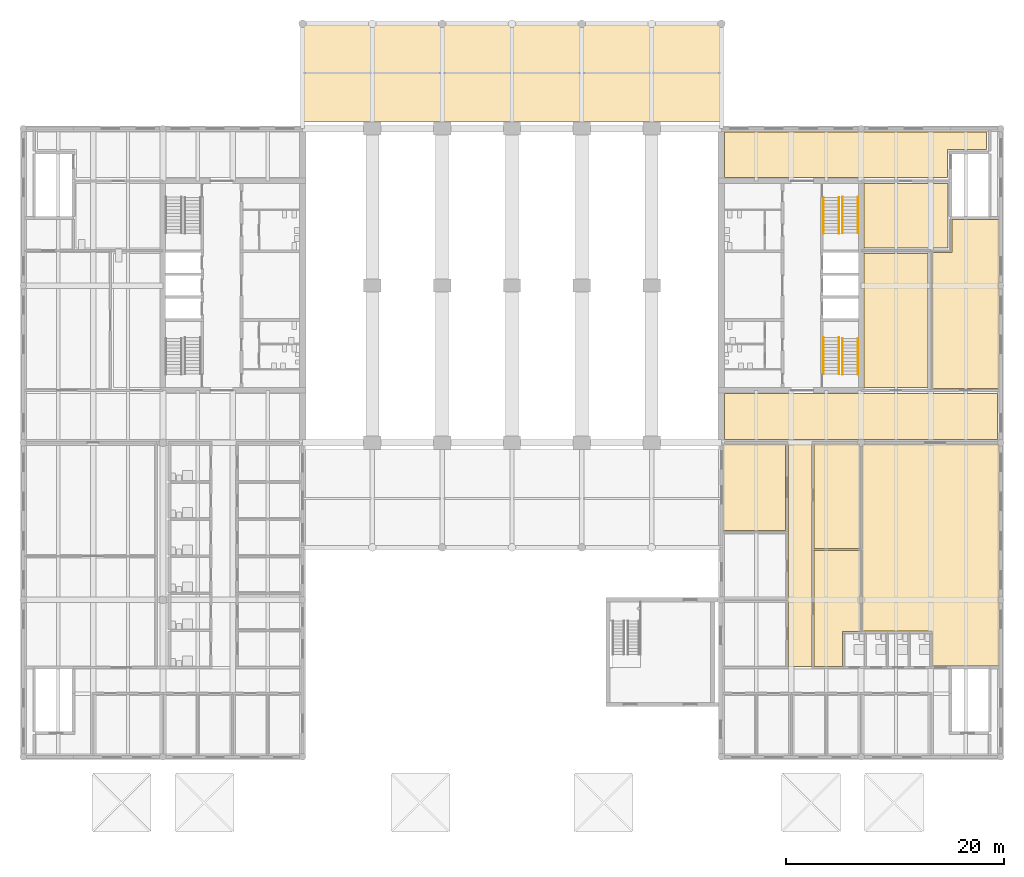
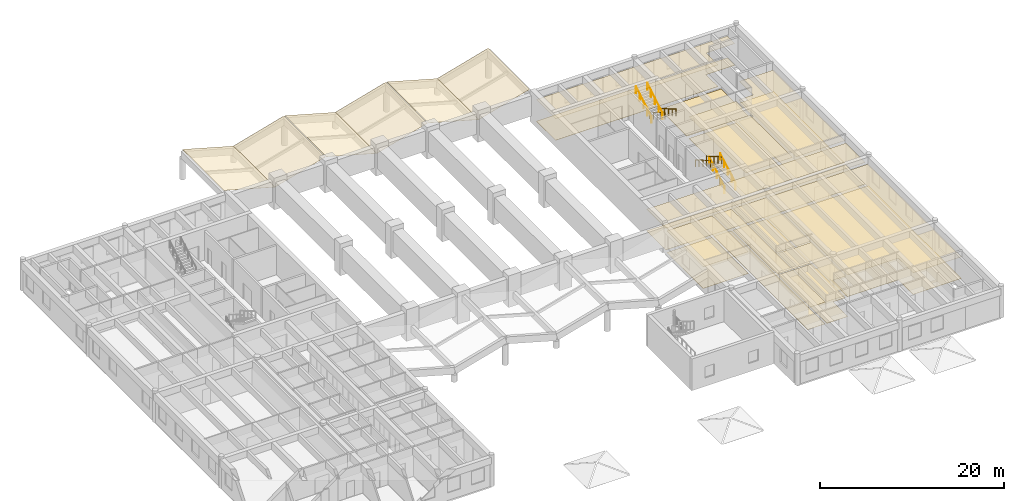
# One storey, part 18 of 19: 25 coverings, 8 railings.
"""IFC4 building model written with IfcOpenShell, lengths in metres."""

from ifc_helpers import new_model, si_unit, direction, frame, origin, origin_2d, place, context, subcontext, project, spatial, polyline, circle, outline, extrude, material, layer, layer_set, type_object, element, save


model = new_model("IFC4")

# Units and contexts
model_context = context("Model", 3, precision=1e-05, world=origin(), true_north=direction((0.0, 1.0)))
body_context = subcontext(model_context, "Body", "Model", "MODEL_VIEW")
ifc_project = project(units=[si_unit("LENGTHUNIT", "METRE"), si_unit("AREAUNIT", "SQUARE_METRE"), si_unit("VOLUMEUNIT", "CUBIC_METRE"), si_unit("PLANEANGLEUNIT", "RADIAN"), si_unit("MASSUNIT", "GRAM", prefix="KILO")], contexts=[model_context])

# Site, building, storey
site_placement = place(None, origin())
site = spatial("IfcSite", under=ifc_project, at=site_placement, CompositionType="ELEMENT")
building_placement = place(site_placement, origin())
building = spatial("IfcBuilding", under=site, at=building_placement, Name="Fogon Plaza Fire Station and Headquarters Tower", CompositionType="ELEMENT")
storey_placement = place(building_placement, frame((0.0, 0.0, 4.199951171875)))
storey = spatial("IfcBuildingStorey", under=building, at=storey_placement, Name="L01", CompositionType="ELEMENT", Elevation=4.199951171875)

# Coverings
ifc_material_1 = material(Name="Acoustic Mineral Wool Ceiling Tile")
ifc_layer_1 = layer(ifc_material_1, 0.030029296875)
ifc_layer_set_1 = layer_set([ifc_layer_1], Name="Acoustic Mineral Wool Ceiling Tile")
covering_type_1 = type_object("IfcCoveringType", Name="Acoustic Ceiling 600x600", PredefinedType="CEILING", material=ifc_layer_set_1)
covering_1_placement = place(storey_placement, frame((0.0, 0.0, 2.880126953125)))
element("IfcCovering", 1, at=covering_1_placement, inside=storey, type_object=covering_type_1, Name="ceiling-L01-E-brief", PredefinedType="CEILING", context=body_context, shape_type="SweptSolid", body=[
    extrude(outline(polyline([(72.5, 19.10009765625), (72.5, 28.699951171875), (76.699951171875, 28.699951171875), (76.699951171875, 19.10009765625), (72.5, 19.10009765625)])), origin(), (0.0, 0.0, 1.0), 0.02001953125),
])
ifc_material_2 = material(Name="Single-ply roofing membrane")
ifc_layer_2 = layer(ifc_material_2, 0.02490234375)
ifc_layer_set_2 = layer_set([ifc_layer_2], Name="Single-ply roofing membrane")
covering_type_2 = type_object("IfcCoveringType", Name="Canopy Roofing Membrane 25", PredefinedType="ROOFING", material=ifc_layer_set_2)
covering_2_placement = place(storey_placement, frame((25.606689453125, 58.199951171875, 3.82421875), z_axis=(0.270746640342, 0.0, 0.962650641065), x_axis=(0.962650641065, 0.0, -0.270746640342)))
element("IfcCovering", 2, at=covering_2_placement, inside=storey, type_object=covering_type_2, Name="Roofing RM1 canopy-front-1", PredefinedType="ROOFING", context=body_context, shape_type="SweptSolid", body=[
    extrude(outline(polyline([(0.0, 0.0), (6.648462288762107, 0.0), (6.648462288762107, 9.0), (0.0, 9.0), (0.0, 0.0)])), origin(), (0.0, 0.0, -1.0), 0.02490234375),
])
covering_3_placement = place(storey_placement, frame((31.9931640625, 58.199951171875, 2.024169921875), z_axis=(-0.27072949786, 0.0, 0.962655462244), x_axis=(0.962655462244, 0.0, 0.27072949786)))
element("IfcCovering", 3, at=covering_3_placement, inside=storey, type_object=covering_type_2, Name="Roofing RM1 canopy-front-2", PredefinedType="ROOFING", context=body_context, shape_type="SweptSolid", body=[
    extrude(outline(polyline([(0.0, 0.0), (6.595677771955884, 0.0), (6.595677771955884, 9.0), (0.0, 9.0), (0.0, 0.0)])), origin(), (0.0, 0.0, -1.0), 0.02490234375),
])
covering_4_placement = place(storey_placement, frame((38.457275390625, 58.199951171875, 3.809814453125), z_axis=(0.270719851306, 0.0, 0.962658175111), x_axis=(0.962658175111, 0.0, -0.270719851306)))
element("IfcCovering", 4, at=covering_4_placement, inside=storey, type_object=covering_type_2, Name="Roofing RM1 canopy-front-3", PredefinedType="ROOFING", context=body_context, shape_type="SweptSolid", body=[
    extrude(outline(polyline([(0.0, 0.0), (6.595912795593263, 0.0), (6.595912795593263, 9.000000000000002), (0.0, 9.000000000000002), (0.0, 0.0)])), origin(), (0.0, 0.0, -1.0), 0.02490234375),
])
for number, where, z_axis, x_axis, name in (
    (5, (44.793212890625, 58.199951171875, 2.024169921875), (-0.27072949786, 0.0, 0.962655462244), (0.962655462244, 0.0, 0.27072949786), "Roofing RM1 canopy-front-4"),
    (6, (51.25732421875, 58.199951171875, 3.809814453125), (0.27072949786, 0.0, 0.962655462244), (0.962655462244, 0.0, -0.27072949786), "Roofing RM1 canopy-front-5"),
):
    element("IfcCovering", number, at=place(storey_placement, frame(where, z_axis=z_axis, x_axis=x_axis)), inside=storey, type_object=covering_type_2, Name=name, PredefinedType="ROOFING", context=body_context, shape_type="SweptSolid", body=[
        extrude(outline(polyline([(0.0, 0.0), (6.595677771955884, 0.0), (6.595677771955884, 9.0), (0.0, 9.0), (0.0, 0.0)])), origin(), (0.0, 0.0, -1.0), 0.02490234375),
    ])
covering_5_placement = place(storey_placement, frame((57.59326171875, 58.199951171875, 2.024169921875), z_axis=(-0.27075621152, 0.0, 0.962647949109), x_axis=(0.962647949109, 0.0, 0.27075621152)))
element("IfcCovering", 7, at=covering_5_placement, inside=storey, type_object=covering_type_2, Name="Roofing RM1 canopy-front-6", PredefinedType="ROOFING", context=body_context, shape_type="SweptSolid", body=[
    extrude(outline(polyline([(0.0, 0.0), (6.648227266961541, 0.0), (6.648227266961541, 8.999999999999998), (0.0, 8.999999999999998), (0.0, 0.0)])), origin(), (0.0, 0.0, -1.0), 0.02490234375),
])
ifc_material_3 = material(Name="Carpet Tile Floor Finish")
ifc_layer_3 = layer(ifc_material_3, 0.011962890625)
ifc_layer_set_3 = layer_set([ifc_layer_3], Name="Carpet Tile Floor Finish")
covering_type_3 = type_object("IfcCoveringType", Name="Floor Finish Carpet 12", PredefinedType="FLOORING", material=ifc_layer_set_3)
covering_6_placement = place(storey_placement, origin())
element("IfcCovering", 8, at=covering_6_placement, inside=storey, type_object=covering_type_3, Name="floor-L01-E-lounge", PredefinedType="FLOORING", context=body_context, shape_type="SweptSolid", body=[
    extrude(outline(polyline([(64.14990234375, 20.75), (64.14990234375, 28.64990234375), (69.85009765625, 28.64990234375), (69.85009765625, 20.75), (64.14990234375, 20.75)])), origin(), (0.0, 0.0, 1.0), 0.025146484375),
])
covering_7_placement = place(storey_placement, origin())
element("IfcCovering", 9, at=covering_7_placement, inside=storey, type_object=covering_type_3, Name="floor-L01-E-office", PredefinedType="FLOORING", context=body_context, shape_type="SweptSolid", body=[
    extrude(outline(polyline([(72.5, 8.300048828125), (72.5, 18.89990234375), (76.699951171875, 18.89990234375), (76.699951171875, 11.5), (75.10009765625, 11.5), (75.10009765625, 8.300048828125), (72.5, 8.300048828125)])), origin(), (0.0, 0.0, 1.0), 0.025146484375),
])
covering_8_placement = place(storey_placement, origin())
element("IfcCovering", 10, at=covering_8_placement, inside=storey, type_object=covering_type_3, Name="floor-L01-E-brief", PredefinedType="FLOORING", context=body_context, shape_type="SweptSolid", body=[
    extrude(outline(polyline([(72.5, 19.10009765625), (72.5, 28.699951171875), (76.699951171875, 28.699951171875), (76.699951171875, 19.10009765625), (72.5, 19.10009765625)])), origin(), (0.0, 0.0, 1.0), 0.025146484375),
])
covering_9_placement = place(storey_placement, origin())
element("IfcCovering", 11, at=covering_9_placement, inside=storey, type_object=covering_type_3, Name="floor-L01-E-quiet", PredefinedType="FLOORING", context=body_context, shape_type="SweptSolid", body=[
    extrude(outline(polyline([(77.050048828125, 33.85009765625), (77.050048828125, 46.14990234375), (82.949951171875, 46.14990234375), (82.949951171875, 33.85009765625), (77.050048828125, 33.85009765625)])), origin(), (0.0, 0.0, 1.0), 0.025146484375),
])
ifc_material_4 = material(Name="Epoxy Resin Floor Finish")
ifc_layer_4 = layer(ifc_material_4, 0.02490234375)
ifc_layer_set_4 = layer_set([ifc_layer_4], Name="Epoxy Resin Floor Finish")
covering_type_4 = type_object("IfcCoveringType", Name="Floor Finish Epoxy 25", PredefinedType="FLOORING", material=ifc_layer_set_4)
covering_10_placement = place(storey_placement, origin())
element("IfcCovering", 12, at=covering_10_placement, inside=storey, type_object=covering_type_4, Name="floor-L01-E-rec", PredefinedType="FLOORING", context=body_context, shape_type="SweptSolid", body=[
    extrude(outline(polyline([(77.050048828125, 46.64990234375), (77.050048828125, 52.550048828125), (84.75, 52.550048828125), (84.75, 46.64990234375), (77.050048828125, 46.64990234375)])), origin(), (0.0, 0.0, 1.0), 0.025146484375),
])
ifc_material_5 = material(Name="Rubber Sports Floor Finish")
ifc_layer_5 = layer(ifc_material_5, 0.02490234375)
ifc_layer_set_5 = layer_set([ifc_layer_5], Name="Rubber Sports Floor Finish")
covering_type_5 = type_object("IfcCoveringType", Name="Floor Finish Rubber 25", PredefinedType="FLOORING", material=ifc_layer_set_5)
covering_11_placement = place(storey_placement, origin())
element("IfcCovering", 13, at=covering_11_placement, inside=storey, type_object=covering_type_5, Name="floor-L01-E-fit", PredefinedType="FLOORING", context=body_context, shape_type="SweptSolid", body=[
    extrude(outline(polyline([(83.35009765625, 8.35009765625), (83.35009765625, 11.550048828125), (76.949951171875, 11.550048828125), (76.949951171875, 28.64990234375), (89.449951171875, 28.64990234375), (89.449951171875, 8.35009765625), (83.35009765625, 8.35009765625)])), origin(), (0.0, 0.0, 1.0), 0.025146484375),
])
ifc_material_6 = material(Name="Vinyl Floor Finish")
ifc_layer_6 = layer(ifc_material_6, 0.02490234375)
ifc_layer_set_6 = layer_set([ifc_layer_6], Name="Vinyl Floor Finish")
covering_type_6 = type_object("IfcCoveringType", Name="Floor Finish Vinyl 25", PredefinedType="FLOORING", material=ifc_layer_set_6)
covering_12_placement = place(storey_placement, origin())
element("IfcCovering", 14, at=covering_12_placement, inside=storey, type_object=covering_type_6, Name="floor-L01-E-dns", PredefinedType="FLOORING", context=body_context, shape_type="SweptSolid", body=[
    extrude(outline(polyline([(70.10009765625, 8.300048828125), (70.10009765625, 28.699951171875), (72.300048828125, 28.699951171875), (72.300048828125, 8.300048828125), (70.10009765625, 8.300048828125)])), origin(), (0.0, 0.0, 1.0), 0.025146484375),
])
covering_13_placement = place(storey_placement, origin())
element("IfcCovering", 15, at=covering_13_placement, inside=storey, type_object=covering_type_6, Name="floor-L01-E-spine", PredefinedType="FLOORING", context=body_context, shape_type="SweptSolid", body=[
    extrude(outline(polyline([(64.300048828125, 29.10009765625), (64.300048828125, 33.300048828125), (89.300048828125, 33.300048828125), (89.300048828125, 29.10009765625), (64.300048828125, 29.10009765625)])), origin(), (0.0, 0.0, 1.0), 0.025146484375),
])
covering_14_placement = place(storey_placement, origin())
element("IfcCovering", 16, at=covering_14_placement, inside=storey, type_object=covering_type_6, Name="floor-L01-E-dry", PredefinedType="FLOORING", context=body_context, shape_type="SweptSolid", body=[
    extrude(outline(polyline([(83.35009765625, 33.75), (83.35009765625, 46.25), (85.14990234375, 46.25), (85.14990234375, 49.25), (89.449951171875, 49.25), (89.449951171875, 33.75), (83.35009765625, 33.75)])), origin(), (0.0, 0.0, 1.0), 0.025146484375),
])
covering_15_placement = place(storey_placement, origin())
element("IfcCovering", 17, at=covering_15_placement, inside=storey, type_object=covering_type_6, Name="floor-L01-E-ncor", PredefinedType="FLOORING", context=body_context, shape_type="SweptSolid", body=[
    extrude(outline(polyline([(64.300048828125, 53.10009765625), (64.300048828125, 57.300048828125), (88.300048828125, 57.300048828125), (88.300048828125, 55.699951171875), (84.699951171875, 55.699951171875), (84.699951171875, 53.10009765625), (64.300048828125, 53.10009765625)])), origin(), (0.0, 0.0, 1.0), 0.025146484375),
])

# Railings
ifc_material_7 = material(Name="Steel", Category="steel")
railing_type = type_object("IfcRailingType", Name="Stair Handrail 900", PredefinedType="HANDRAIL", material=ifc_material_7)
for number, where, name in (
    (18, (76.5, 35.06005859375, 0.175048828125), "Handrail ST3"),
    (19, (75.10009765625, 35.06005859375, 0.175048828125), "Handrail ST3"),
):
    element("IfcRailing", number, at=place(storey_placement, frame(where)), inside=storey, type_object=railing_type, Name=name, PredefinedType="HANDRAIL", context=body_context, shape_type="SweptSolid", body=[
        extrude(circle(Radius=0.02392578125, at=origin_2d()), frame((0.0, 0.0, 0.8759765625), z_axis=(0.0, 0.864761289162, 0.502183146637), x_axis=(-1.0, 0.0, 0.0)), (0.0, 0.0, 1.0), 3.833251953125),
        extrude(circle(Radius=0.02099609375, at=origin_2d()), origin(), (0.0, 0.0, 1.0), 0.851806640625),
        extrude(circle(Radius=0.02099609375, at=origin_2d()), frame((0.0, 0.82861328125, 0.481201171875)), (0.0, 0.0, 1.0), 0.851806640625),
        extrude(circle(Radius=0.02099609375, at=origin_2d()), frame((0.0, 1.657470703125, 0.96240234375)), (0.0, 0.0, 1.0), 0.851806640625),
        extrude(circle(Radius=0.02099609375, at=origin_2d()), frame((0.0, 2.486328125, 1.44384765625)), (0.0, 0.0, 1.0), 0.851806640625),
        extrude(circle(Radius=0.02099609375, at=origin_2d()), frame((0.0, 3.31494140625, 1.925048828125)), (0.0, 0.0, 1.0), 0.851806640625),
    ])
for number, where, name in (
    (20, (73.375, 38.425048828125, 2.275146484375), "Handrail ST3"),
    (21, (74.77490234375, 38.425048828125, 2.275146484375), "Handrail ST3"),
):
    element("IfcRailing", number, at=place(storey_placement, frame(where)), inside=storey, type_object=railing_type, Name=name, PredefinedType="HANDRAIL", context=body_context, shape_type="SweptSolid", body=[
        extrude(circle(Radius=0.02392578125, at=origin_2d()), frame((0.0, 0.0, 0.8759765625), z_axis=(0.0, -0.86478894661, 0.502135517387), x_axis=(1.0, 0.0, 0.0)), (0.0, 0.0, 1.0), 3.833251953125),
        extrude(circle(Radius=0.02099609375, at=origin_2d()), origin(), (0.0, 0.0, 1.0), 0.851806640625),
        extrude(circle(Radius=0.02099609375, at=origin_2d()), frame((0.0, -0.82861328125, 0.481201171875)), (0.0, 0.0, 1.0), 0.851806640625),
        extrude(circle(Radius=0.02099609375, at=origin_2d()), frame((0.0, -1.657470703125, 0.96240234375)), (0.0, 0.0, 1.0), 0.851806640625),
        extrude(circle(Radius=0.02099609375, at=origin_2d()), frame((0.0, -2.486328125, 1.443603515625)), (0.0, 0.0, 1.0), 0.851806640625),
        extrude(circle(Radius=0.02099609375, at=origin_2d()), frame((0.0, -3.31494140625, 1.9248046875)), (0.0, 0.0, 1.0), 0.851806640625),
    ])
for number, where, name in (
    (22, (76.5, 51.340087890625, 0.175048828125), "Handrail ST4"),
    (23, (75.10009765625, 51.340087890625, 0.175048828125), "Handrail ST4"),
):
    element("IfcRailing", number, at=place(storey_placement, frame(where)), inside=storey, type_object=railing_type, Name=name, PredefinedType="HANDRAIL", context=body_context, shape_type="SweptSolid", body=[
        extrude(circle(Radius=0.02392578125, at=origin_2d()), frame((0.0, 0.0, 0.8759765625), z_axis=(0.0, -0.864777349284, 0.502155490029), x_axis=(1.0, 0.0, 0.0)), (0.0, 0.0, 1.0), 3.83349609375),
        extrude(circle(Radius=0.02099609375, at=origin_2d()), origin(), (0.0, 0.0, 1.0), 0.851806640625),
        extrude(circle(Radius=0.02099609375, at=origin_2d()), frame((0.0, -0.828857421875, 0.481201171875)), (0.0, 0.0, 1.0), 0.851806640625),
        extrude(circle(Radius=0.02099609375, at=origin_2d()), frame((0.0, -1.65771484375, 0.96240234375)), (0.0, 0.0, 1.0), 0.851806640625),
        extrude(circle(Radius=0.02099609375, at=origin_2d()), frame((0.0, -2.486328125, 1.44384765625)), (0.0, 0.0, 1.0), 0.851806640625),
        extrude(circle(Radius=0.02099609375, at=origin_2d()), frame((0.0, -3.315185546875, 1.925048828125)), (0.0, 0.0, 1.0), 0.851806640625),
    ])
for number, where, name in (
    (24, (73.375, 47.97509765625, 2.275146484375), "Handrail ST4"),
    (25, (74.77490234375, 47.97509765625, 2.275146484375), "Handrail ST4"),
):
    element("IfcRailing", number, at=place(storey_placement, frame(where)), inside=storey, type_object=railing_type, Name=name, PredefinedType="HANDRAIL", context=body_context, shape_type="SweptSolid", body=[
        extrude(circle(Radius=0.02392578125, at=origin_2d()), frame((0.0, 0.0, 0.8759765625), z_axis=(0.0, 0.86478894661, 0.502135517387), x_axis=(-1.0, 0.0, 0.0)), (0.0, 0.0, 1.0), 3.833251953125),
        extrude(circle(Radius=0.02099609375, at=origin_2d()), origin(), (0.0, 0.0, 1.0), 0.851806640625),
        extrude(circle(Radius=0.02099609375, at=origin_2d()), frame((0.0, 0.82861328125, 0.481201171875)), (0.0, 0.0, 1.0), 0.851806640625),
        extrude(circle(Radius=0.02099609375, at=origin_2d()), frame((0.0, 1.657470703125, 0.96240234375)), (0.0, 0.0, 1.0), 0.851806640625),
        extrude(circle(Radius=0.02099609375, at=origin_2d()), frame((0.0, 2.486328125, 1.443603515625)), (0.0, 0.0, 1.0), 0.851806640625),
        extrude(circle(Radius=0.02099609375, at=origin_2d()), frame((0.0, 3.31494140625, 1.9248046875)), (0.0, 0.0, 1.0), 0.851806640625),
    ])

# Coverings
ifc_material_8 = material(Name="Mineral Fibre Ceiling Tile")
ifc_layer_7 = layer(ifc_material_8, 0.02001953125)
ifc_layer_set_7 = layer_set([ifc_layer_7], Name="Mineral Fibre Ceiling Tile")
covering_type_7 = type_object("IfcCoveringType", Name="Suspended Ceiling 600x600", PredefinedType="CEILING", material=ifc_layer_set_7)
covering_16_placement = place(storey_placement, frame((0.0, 0.0, 2.880126953125)))
element("IfcCovering", 26, at=covering_16_placement, inside=storey, type_object=covering_type_7, Name="ceiling-L01-E-lounge", PredefinedType="CEILING", context=body_context, shape_type="SweptSolid", body=[
    extrude(outline(polyline([(64.14990234375, 20.75), (64.14990234375, 28.64990234375), (69.85009765625, 28.64990234375), (69.85009765625, 20.75), (64.14990234375, 20.75)])), origin(), (0.0, 0.0, 1.0), 0.02001953125),
])
covering_17_placement = place(storey_placement, frame((0.0, 0.0, 2.880126953125)))
element("IfcCovering", 27, at=covering_17_placement, inside=storey, type_object=covering_type_7, Name="ceiling-L01-E-dns", PredefinedType="CEILING", context=body_context, shape_type="SweptSolid", body=[
    extrude(outline(polyline([(70.10009765625, 8.300048828125), (70.10009765625, 28.699951171875), (72.300048828125, 28.699951171875), (72.300048828125, 8.300048828125), (70.10009765625, 8.300048828125)])), origin(), (0.0, 0.0, 1.0), 0.02001953125),
])
covering_18_placement = place(storey_placement, frame((0.0, 0.0, 2.880126953125)))
element("IfcCovering", 28, at=covering_18_placement, inside=storey, type_object=covering_type_7, Name="ceiling-L01-E-fit", PredefinedType="CEILING", context=body_context, shape_type="SweptSolid", body=[
    extrude(outline(polyline([(83.35009765625, 8.35009765625), (83.35009765625, 11.550048828125), (76.949951171875, 11.550048828125), (76.949951171875, 28.64990234375), (89.449951171875, 28.64990234375), (89.449951171875, 8.35009765625), (83.35009765625, 8.35009765625)])), origin(), (0.0, 0.0, 1.0), 0.02001953125),
])
covering_19_placement = place(storey_placement, frame((0.0, 0.0, 2.880126953125)))
element("IfcCovering", 29, at=covering_19_placement, inside=storey, type_object=covering_type_7, Name="ceiling-L01-E-office", PredefinedType="CEILING", context=body_context, shape_type="SweptSolid", body=[
    extrude(outline(polyline([(72.5, 8.300048828125), (72.5, 18.89990234375), (76.699951171875, 18.89990234375), (76.699951171875, 11.5), (75.10009765625, 11.5), (75.10009765625, 8.300048828125), (72.5, 8.300048828125)])), origin(), (0.0, 0.0, 1.0), 0.02001953125),
])
covering_20_placement = place(storey_placement, frame((0.0, 0.0, 2.880126953125)))
element("IfcCovering", 30, at=covering_20_placement, inside=storey, type_object=covering_type_7, Name="ceiling-L01-E-spine", PredefinedType="CEILING", context=body_context, shape_type="SweptSolid", body=[
    extrude(outline(polyline([(64.300048828125, 29.10009765625), (64.300048828125, 33.300048828125), (89.300048828125, 33.300048828125), (89.300048828125, 29.10009765625), (64.300048828125, 29.10009765625)])), origin(), (0.0, 0.0, 1.0), 0.02001953125),
])
covering_21_placement = place(storey_placement, frame((0.0, 0.0, 2.880126953125)))
element("IfcCovering", 31, at=covering_21_placement, inside=storey, type_object=covering_type_7, Name="ceiling-L01-E-dry", PredefinedType="CEILING", context=body_context, shape_type="SweptSolid", body=[
    extrude(outline(polyline([(83.35009765625, 33.75), (83.35009765625, 46.25), (85.14990234375, 46.25), (85.14990234375, 49.25), (89.449951171875, 49.25), (89.449951171875, 33.75), (83.35009765625, 33.75)])), origin(), (0.0, 0.0, 1.0), 0.02001953125),
])
covering_22_placement = place(storey_placement, frame((0.0, 0.0, 2.880126953125)))
element("IfcCovering", 32, at=covering_22_placement, inside=storey, type_object=covering_type_7, Name="ceiling-L01-E-quiet", PredefinedType="CEILING", context=body_context, shape_type="SweptSolid", body=[
    extrude(outline(polyline([(77.050048828125, 33.85009765625), (77.050048828125, 46.14990234375), (82.949951171875, 46.14990234375), (82.949951171875, 33.85009765625), (77.050048828125, 33.85009765625)])), origin(), (0.0, 0.0, 1.0), 0.02001953125),
])
covering_23_placement = place(storey_placement, frame((0.0, 0.0, 2.880126953125)))
element("IfcCovering", 33, at=covering_23_placement, inside=storey, type_object=covering_type_7, Name="ceiling-L01-E-ncor", PredefinedType="CEILING", context=body_context, shape_type="SweptSolid", body=[
    extrude(outline(polyline([(64.300048828125, 53.10009765625), (64.300048828125, 57.300048828125), (88.300048828125, 57.300048828125), (88.300048828125, 55.699951171875), (84.699951171875, 55.699951171875), (84.699951171875, 53.10009765625), (64.300048828125, 53.10009765625)])), origin(), (0.0, 0.0, 1.0), 0.02001953125),
])

save(model, "model.ifc")
